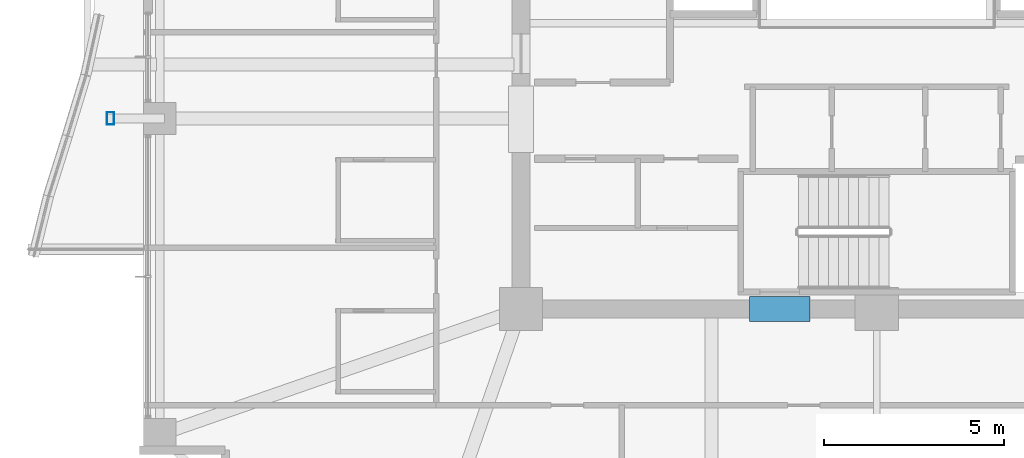
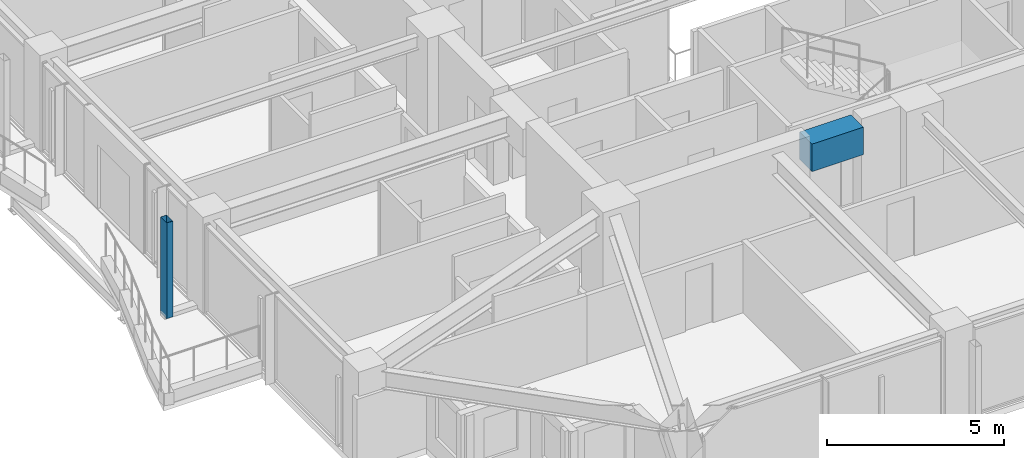
# One storey, part 5 of 35: 1 beam, 1 member.
"""IFC4 building model written with IfcOpenShell, lengths in metres."""

from ifc_helpers import new_model, si_unit, direction, frame, origin, origin_2d, place, context, subcontext, project, spatial, rectangle, hollow_rectangle, extrude, material, material_profile, profile_set, type_object, element, save


model = new_model("IFC4")

# Units and contexts
model_context = context("Model", 3, precision=1e-05, world=origin(), true_north=direction((0.0, 1.0)))
body_context = subcontext(model_context, "Body", "Model", "MODEL_VIEW")
ifc_project = project(units=[si_unit("LENGTHUNIT", "METRE"), si_unit("AREAUNIT", "SQUARE_METRE"), si_unit("VOLUMEUNIT", "CUBIC_METRE"), si_unit("PLANEANGLEUNIT", "RADIAN"), si_unit("MASSUNIT", "GRAM", prefix="KILO")], contexts=[model_context])

# Site, building, storey
site_placement = place(None, origin())
site = spatial("IfcSite", under=ifc_project, at=site_placement, CompositionType="ELEMENT")
building_placement = place(site_placement, origin())
building = spatial("IfcBuilding", under=site, at=building_placement, Name="Kolvaren Belvedere", CompositionType="ELEMENT")
storey_placement = place(building_placement, frame((0.0, 0.0, 183.300048828125)))
storey = spatial("IfcBuildingStorey", under=building, at=storey_placement, Name="L53", CompositionType="ELEMENT", Elevation=183.300048828125)

# Beam
ifc_material_1 = material(Name="Concrete C60/75", Category="concrete")
ifc_material_profile_1 = material_profile(ifc_material_1, rectangle(XDim=0.699951171875, YDim=0.949951171875, at=origin_2d()), Name="RC 700X950")
ifc_profile_set_1 = profile_set([ifc_material_profile_1], Name="Concrete C60/75")
beam_type = type_object("IfcBeamType", Name="BM-LINT-950", PredefinedType="LINTEL", material=ifc_profile_set_1)
beam_placement = place(storey_placement, frame((-3.5400390625, -9.89990234375, 2.60498046875), z_axis=(1.0, 0.0, 0.0), x_axis=(0.0, 1.0, 0.0)))
element("IfcBeam", 1, at=beam_placement, inside=storey, type_object=beam_type, Name="L53 South Core Coupling Lintel", PredefinedType="LINTEL", context=body_context, shape_type="SweptSolid", body=[
    extrude(rectangle(XDim=0.699951171875, YDim=0.949951171875, at=origin_2d()), origin(), (0.0, 0.0, 1.0), 1.679931640625),
])

# Member
ifc_material_2 = material(Name="Anodised pale-metal aluminium AA 6063-T6", Category="aluminium")
ifc_material_profile_2 = material_profile(ifc_material_2, hollow_rectangle(XDim=0.199951171875, YDim=0.35009765625, WallThickness=0.007568359375, at=origin_2d()), Name="ALU-PF-350X200")
ifc_profile_set_2 = profile_set([ifc_material_profile_2], Name="Anodised pale-metal aluminium AA 6063-T6")
member_type = type_object("IfcMemberType", Name="PF-FRAME-350", PredefinedType="USERDEFINED", material=ifc_profile_set_2)
member_placement = place(storey_placement, frame((-21.320068359375, -4.60009765625, 0.0), z_axis=(0.0, 0.0, 1.0), x_axis=(1.0, 0.0, 0.0)))
element("IfcMember", 2, at=member_placement, inside=storey, type_object=member_type, Name="L53 Outboard Picture-Frame Vertical W1", ObjectType="PICTURE FRAME FIN", PredefinedType="USERDEFINED", context=body_context, shape_type="SweptSolid", body=[
    extrude(hollow_rectangle(XDim=0.199951171875, YDim=0.35009765625, WallThickness=0.007568359375, at=origin_2d()), origin(), (0.0, 0.0, 1.0), 3.300048828125),
])

save(model, "model.ifc")
